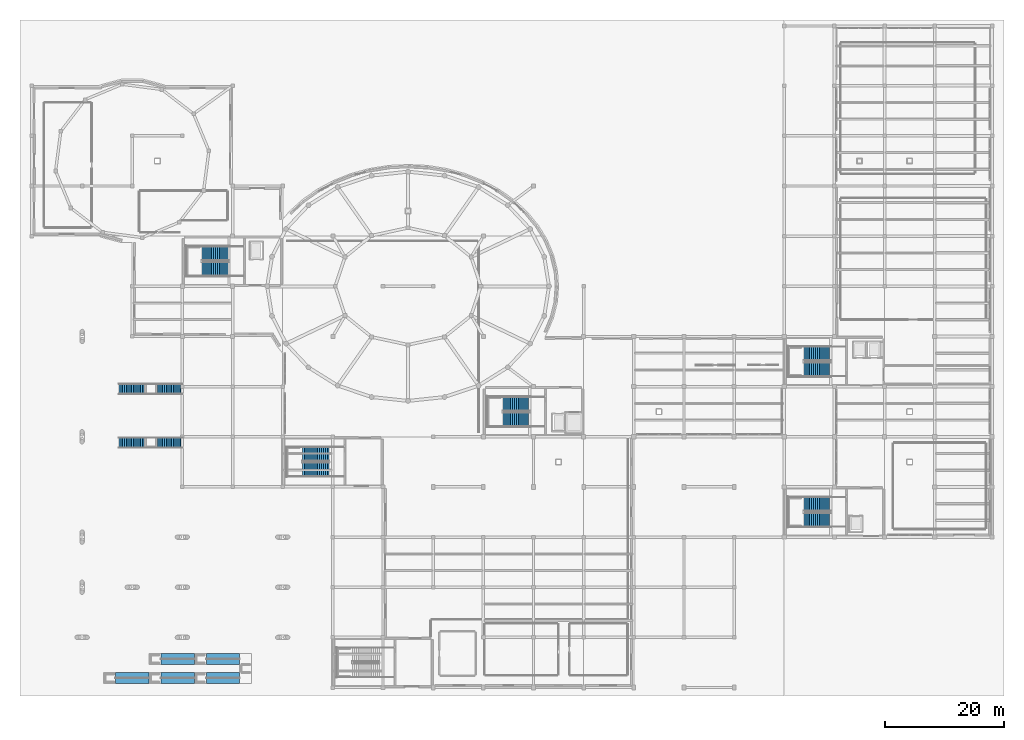
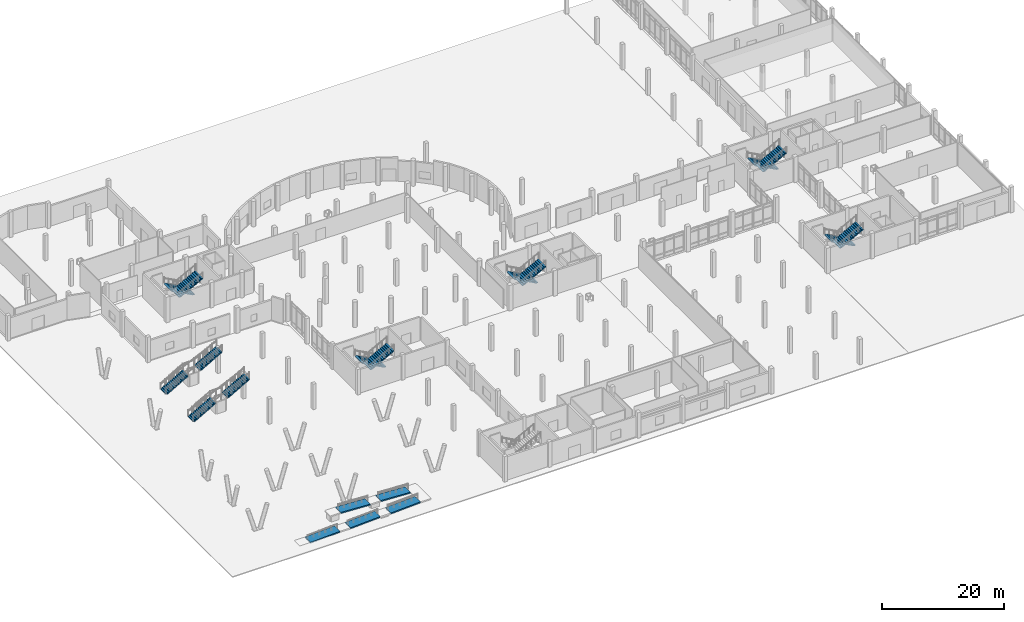
# One storey, part 52 of 64: 14 stair flights, 5 ramp flights, 12 elements without a shape of their own.
"""IFC4 building model written with IfcOpenShell, lengths in metres."""

from ifc_helpers import new_model, si_unit, derived_unit, direction, frame, origin, place, context, subcontext, project, spatial, polyline, outline, extrude, material, layer, layer_set, type_object, element, aggregate, save


model = new_model("IFC4")

# Units and contexts
model_context = context("Model", 3, precision=1e-05, world=origin(), true_north=direction((0.0, 1.0)))
body_context = subcontext(model_context, "Body", "Model", "MODEL_VIEW")
ifc_project = project(units=[si_unit("LENGTHUNIT", "METRE"), si_unit("AREAUNIT", "SQUARE_METRE"), si_unit("VOLUMEUNIT", "CUBIC_METRE"), si_unit("PLANEANGLEUNIT", "RADIAN"), si_unit("MASSUNIT", "GRAM", prefix="KILO"), derived_unit("THERMALTRANSMITTANCEUNIT", [(si_unit("POWERUNIT", "WATT"), 1), (si_unit("LENGTHUNIT", "METRE"), -2), (si_unit("THERMODYNAMICTEMPERATUREUNIT", "KELVIN"), -1)])], contexts=[model_context])

# Site, building, storey
site_placement = place(None, origin())
site = spatial("IfcSite", under=ifc_project, at=site_placement, CompositionType="ELEMENT")
building_placement = place(site_placement, origin())
building = spatial("IfcBuilding", under=site, at=building_placement, Name="Elbkamm Science Centre", CompositionType="ELEMENT")
storey_placement = place(building_placement, origin())
storey = spatial("IfcBuildingStorey", under=building, at=storey_placement, Name="L00", CompositionType="ELEMENT", Elevation=0.0)

# Stair, stair flights
ifc_material = material(Name="Reinforced concrete C40/50", Category="concrete")
stair_type_1 = type_object("IfcStairType", Name="ST-STR-30R-180", PredefinedType="STRAIGHT_RUN_STAIR", material=ifc_material)
stair_1_placement = place(storey_placement, origin())
stair_1 = element("IfcStair", 1, at=stair_1_placement, inside=storey, type_object=stair_type_1, Name="Warft Forecourt Ceremonial Stair 1", PredefinedType="STRAIGHT_RUN_STAIR")
stair_flight_type_1 = type_object("IfcStairFlightType", Name="FLT-15R-170MM-180", PredefinedType="STRAIGHT", material=ifc_material)
stair_flight_1_placement = place(storey_placement, frame((14.60009765625, 41.0, 0.0), z_axis=(0.0, 0.0, 1.0), x_axis=(1.0, 0.0, 0.0)))
stair_flight_1 = element("IfcStairFlight", 2, at=stair_flight_1_placement, type_object=stair_flight_type_1, Name="ST-W1 flight 1", NumberOfRisers=15, NumberOfTreads=14, PredefinedType="STRAIGHT", RiserHeight=0.17, TreadLength=0.3, context=body_context, shape_type="SweptSolid", body=[
    extrude(outline(polyline([(0.0, 0.0), (0.0, 0.169921875), (0.300048828125, 0.169921875), (0.300048828125, 0.340087890625), (0.60009765625, 0.340087890625), (0.60009765625, 0.510009765625), (0.89990234375, 0.510009765625), (0.89990234375, 0.679931640625), (1.199951171875, 0.679931640625), (1.199951171875, 0.85009765625), (1.5, 0.85009765625), (1.5, 1.02001953125), (1.800048828125, 1.02001953125), (1.800048828125, 1.18994140625), (2.10009765625, 1.18994140625), (2.10009765625, 1.360107421875), (2.39990234375, 1.360107421875), (2.39990234375, 1.530029296875), (2.699951171875, 1.530029296875), (2.699951171875, 1.699951171875), (3.0, 1.699951171875), (3.0, 1.8701171875), (3.300048828125, 1.8701171875), (3.300048828125, 2.0400390625), (3.60009765625, 2.0400390625), (3.60009765625, 2.2099609375), (3.89990234375, 2.2099609375), (3.89990234375, 2.3798828125), (4.199951171875, 2.3798828125), (4.199951171875, 2.550048828125), (4.199951171875, 2.173095703125), (0.364990234375, 0.0), (0.0, 0.0)])), frame((0.0, 0.89990234375, 0.0), z_axis=(0.0, -1.0, 0.0), x_axis=(1.0, 0.0, 0.0)), (0.0, 0.0, 1.0), 1.800048828125),
])
stair_flight_2_placement = place(storey_placement, frame((21.0, 41.0, 2.550048828125), z_axis=(0.0, 0.0, 1.0), x_axis=(1.0, 0.0, 0.0)))
stair_flight_2 = element("IfcStairFlight", 3, at=stair_flight_2_placement, type_object=stair_flight_type_1, Name="ST-W1 flight 2", NumberOfRisers=15, NumberOfTreads=14, PredefinedType="STRAIGHT", RiserHeight=0.17, TreadLength=0.3, context=body_context, shape_type="SweptSolid", body=[
    extrude(outline(polyline([(0.0, 0.0), (0.0, 0.169921875), (0.300048828125, 0.169921875), (0.300048828125, 0.340087890625), (0.60009765625, 0.340087890625), (0.60009765625, 0.510009765625), (0.89990234375, 0.510009765625), (0.89990234375, 0.679931640625), (1.199951171875, 0.679931640625), (1.199951171875, 0.85009765625), (1.5, 0.85009765625), (1.5, 1.02001953125), (1.800048828125, 1.02001953125), (1.800048828125, 1.18994140625), (2.10009765625, 1.18994140625), (2.10009765625, 1.360107421875), (2.39990234375, 1.360107421875), (2.39990234375, 1.530029296875), (2.699951171875, 1.530029296875), (2.699951171875, 1.699951171875), (3.0, 1.699951171875), (3.0, 1.8701171875), (3.300048828125, 1.8701171875), (3.300048828125, 2.0400390625), (3.60009765625, 2.0400390625), (3.60009765625, 2.2099609375), (3.89990234375, 2.2099609375), (3.89990234375, 2.3798828125), (4.199951171875, 2.3798828125), (4.199951171875, 2.550048828125), (4.199951171875, 2.173095703125), (0.364990234375, 0.0), (0.0, 0.0)])), frame((0.0, 0.89990234375, 0.0), z_axis=(0.0, -1.0, 0.0), x_axis=(1.0, 0.0, 0.0)), (0.0, 0.0, 1.0), 1.800048828125),
])
aggregate(stair_1, [stair_flight_1, stair_flight_2])

stair_2_placement = place(storey_placement, origin())
stair_2 = element("IfcStair", 4, at=stair_2_placement, inside=storey, type_object=stair_type_1, Name="Warft Forecourt Ceremonial Stair 2", PredefinedType="STRAIGHT_RUN_STAIR")
stair_flight_3_placement = place(storey_placement, frame((14.60009765625, 50.0, 0.0), z_axis=(0.0, 0.0, 1.0), x_axis=(1.0, 0.0, 0.0)))
stair_flight_3 = element("IfcStairFlight", 5, at=stair_flight_3_placement, type_object=stair_flight_type_1, Name="ST-W2 flight 1", NumberOfRisers=15, NumberOfTreads=14, PredefinedType="STRAIGHT", RiserHeight=0.17, TreadLength=0.3, context=body_context, shape_type="SweptSolid", body=[
    extrude(outline(polyline([(0.0, 0.0), (0.0, 0.169921875), (0.300048828125, 0.169921875), (0.300048828125, 0.340087890625), (0.60009765625, 0.340087890625), (0.60009765625, 0.510009765625), (0.89990234375, 0.510009765625), (0.89990234375, 0.679931640625), (1.199951171875, 0.679931640625), (1.199951171875, 0.85009765625), (1.5, 0.85009765625), (1.5, 1.02001953125), (1.800048828125, 1.02001953125), (1.800048828125, 1.18994140625), (2.10009765625, 1.18994140625), (2.10009765625, 1.360107421875), (2.39990234375, 1.360107421875), (2.39990234375, 1.530029296875), (2.699951171875, 1.530029296875), (2.699951171875, 1.699951171875), (3.0, 1.699951171875), (3.0, 1.8701171875), (3.300048828125, 1.8701171875), (3.300048828125, 2.0400390625), (3.60009765625, 2.0400390625), (3.60009765625, 2.2099609375), (3.89990234375, 2.2099609375), (3.89990234375, 2.3798828125), (4.199951171875, 2.3798828125), (4.199951171875, 2.550048828125), (4.199951171875, 2.173095703125), (0.364990234375, 0.0), (0.0, 0.0)])), frame((0.0, 0.89990234375, 0.0), z_axis=(0.0, -1.0, 0.0), x_axis=(1.0, 0.0, 0.0)), (0.0, 0.0, 1.0), 1.800048828125),
])
stair_flight_4_placement = place(storey_placement, frame((21.0, 50.0, 2.550048828125), z_axis=(0.0, 0.0, 1.0), x_axis=(1.0, 0.0, 0.0)))
stair_flight_4 = element("IfcStairFlight", 6, at=stair_flight_4_placement, type_object=stair_flight_type_1, Name="ST-W2 flight 2", NumberOfRisers=15, NumberOfTreads=14, PredefinedType="STRAIGHT", RiserHeight=0.17, TreadLength=0.3, context=body_context, shape_type="SweptSolid", body=[
    extrude(outline(polyline([(0.0, 0.0), (0.0, 0.169921875), (0.300048828125, 0.169921875), (0.300048828125, 0.340087890625), (0.60009765625, 0.340087890625), (0.60009765625, 0.510009765625), (0.89990234375, 0.510009765625), (0.89990234375, 0.679931640625), (1.199951171875, 0.679931640625), (1.199951171875, 0.85009765625), (1.5, 0.85009765625), (1.5, 1.02001953125), (1.800048828125, 1.02001953125), (1.800048828125, 1.18994140625), (2.10009765625, 1.18994140625), (2.10009765625, 1.360107421875), (2.39990234375, 1.360107421875), (2.39990234375, 1.530029296875), (2.699951171875, 1.530029296875), (2.699951171875, 1.699951171875), (3.0, 1.699951171875), (3.0, 1.8701171875), (3.300048828125, 1.8701171875), (3.300048828125, 2.0400390625), (3.60009765625, 2.0400390625), (3.60009765625, 2.2099609375), (3.89990234375, 2.2099609375), (3.89990234375, 2.3798828125), (4.199951171875, 2.3798828125), (4.199951171875, 2.550048828125), (4.199951171875, 2.173095703125), (0.364990234375, 0.0), (0.0, 0.0)])), frame((0.0, 0.89990234375, 0.0), z_axis=(0.0, -1.0, 0.0), x_axis=(1.0, 0.0, 0.0)), (0.0, 0.0, 1.0), 1.800048828125),
])
aggregate(stair_2, [stair_flight_3, stair_flight_4])

stair_type_2 = type_object("IfcStairType", Name="ST-TWO-30R-242", PredefinedType="USERDEFINED", material=ifc_material)
stair_3_placement = place(storey_placement, origin())
stair_3 = element("IfcStair", 7, at=stair_3_placement, inside=storey, type_object=stair_type_2, Name="L00 Core C1 Northwest Planetarium and Exhibition Core Escape Stair", ObjectType="TWO_RETURN_STAIR", PredefinedType="USERDEFINED")
stair_flight_type_2 = type_object("IfcStairFlightType", Name="FLT-15R-170MM-242", PredefinedType="STRAIGHT", material=ifc_material)
stair_flight_5_placement = place(storey_placement, frame((32.97998046875, 72.7099609375, 0.0), z_axis=(0.0, 0.0, 1.0), x_axis=(-1.0, 0.0, 0.0)))
stair_flight_5 = element("IfcStairFlight", 8, at=stair_flight_5_placement, type_object=stair_flight_type_2, Name="ST-C1 flight 1", NumberOfRisers=15, NumberOfTreads=14, PredefinedType="STRAIGHT", RiserHeight=0.17, TreadLength=0.32, context=body_context, shape_type="SweptSolid", body=[
    extrude(outline(polyline([(0.0, 0.0), (0.0, 0.169921875), (0.320068359375, 0.169921875), (0.320068359375, 0.340087890625), (0.639892578125, 0.340087890625), (0.639892578125, 0.510009765625), (0.9599609375, 0.510009765625), (0.9599609375, 0.679931640625), (1.280029296875, 0.679931640625), (1.280029296875, 0.85009765625), (1.60009765625, 0.85009765625), (1.60009765625, 1.02001953125), (1.919921875, 1.02001953125), (1.919921875, 1.18994140625), (2.239990234375, 1.18994140625), (2.239990234375, 1.360107421875), (2.56005859375, 1.360107421875), (2.56005859375, 1.530029296875), (2.8798828125, 1.530029296875), (2.8798828125, 1.699951171875), (3.199951171875, 1.699951171875), (3.199951171875, 1.8701171875), (3.52001953125, 1.8701171875), (3.52001953125, 2.0400390625), (3.840087890625, 2.0400390625), (3.840087890625, 2.2099609375), (4.159912109375, 2.2099609375), (4.159912109375, 2.3798828125), (4.47998046875, 2.3798828125), (4.47998046875, 2.550048828125), (4.47998046875, 2.198974609375), (0.3408203125, 0.0), (0.0, 0.0)])), frame((0.0, 1.2099609375, 0.0), z_axis=(0.0, -1.0, 0.0), x_axis=(1.0, 0.0, 0.0)), (0.0, 0.0, 1.0), 2.419921875),
])
stair_flight_6_placement = place(storey_placement, frame((28.5, 70.090087890625, 2.550048828125), z_axis=(0.0, 0.0, 1.0), x_axis=(1.0, 0.0, 0.0)))
stair_flight_6 = element("IfcStairFlight", 9, at=stair_flight_6_placement, type_object=stair_flight_type_2, Name="ST-C1 flight 2", NumberOfRisers=15, NumberOfTreads=14, PredefinedType="STRAIGHT", RiserHeight=0.17, TreadLength=0.32, context=body_context, shape_type="SweptSolid", body=[
    extrude(outline(polyline([(0.0, 0.0), (0.0, 0.169921875), (0.320068359375, 0.169921875), (0.320068359375, 0.340087890625), (0.639892578125, 0.340087890625), (0.639892578125, 0.510009765625), (0.9599609375, 0.510009765625), (0.9599609375, 0.679931640625), (1.280029296875, 0.679931640625), (1.280029296875, 0.85009765625), (1.60009765625, 0.85009765625), (1.60009765625, 1.02001953125), (1.919921875, 1.02001953125), (1.919921875, 1.18994140625), (2.239990234375, 1.18994140625), (2.239990234375, 1.360107421875), (2.56005859375, 1.360107421875), (2.56005859375, 1.530029296875), (2.8798828125, 1.530029296875), (2.8798828125, 1.699951171875), (3.199951171875, 1.699951171875), (3.199951171875, 1.8701171875), (3.52001953125, 1.8701171875), (3.52001953125, 2.0400390625), (3.840087890625, 2.0400390625), (3.840087890625, 2.2099609375), (4.159912109375, 2.2099609375), (4.159912109375, 2.3798828125), (4.47998046875, 2.3798828125), (4.47998046875, 2.550048828125), (4.47998046875, 2.198974609375), (0.3408203125, 0.0), (0.0, 0.0)])), frame((0.0, 1.2099609375, 0.0), z_axis=(0.0, -1.0, 0.0), x_axis=(1.0, 0.0, 0.0)), (0.0, 0.0, 1.0), 2.419921875),
])
aggregate(stair_3, [stair_flight_5, stair_flight_6])

stair_4_placement = place(storey_placement, origin())
stair_4 = element("IfcStair", 10, at=stair_4_placement, inside=storey, type_object=stair_type_2, Name="L00 Core C2 Central Exhibition and Skybridge Core Escape Stair", ObjectType="TWO_RETURN_STAIR", PredefinedType="USERDEFINED")
stair_flight_7_placement = place(storey_placement, frame((83.3798828125, 47.510009765625, 0.0), z_axis=(0.0, 0.0, 1.0), x_axis=(-1.0, 0.0, 0.0)))
stair_flight_7 = element("IfcStairFlight", 11, at=stair_flight_7_placement, type_object=stair_flight_type_2, Name="ST-C2 flight 1", NumberOfRisers=15, NumberOfTreads=14, PredefinedType="STRAIGHT", RiserHeight=0.17, TreadLength=0.32, context=body_context, shape_type="SweptSolid", body=[
    extrude(outline(polyline([(0.0, 0.0), (0.0, 0.169921875), (0.320068359375, 0.169921875), (0.320068359375, 0.340087890625), (0.639892578125, 0.340087890625), (0.639892578125, 0.510009765625), (0.9599609375, 0.510009765625), (0.9599609375, 0.679931640625), (1.280029296875, 0.679931640625), (1.280029296875, 0.85009765625), (1.60009765625, 0.85009765625), (1.60009765625, 1.02001953125), (1.919921875, 1.02001953125), (1.919921875, 1.18994140625), (2.239990234375, 1.18994140625), (2.239990234375, 1.360107421875), (2.56005859375, 1.360107421875), (2.56005859375, 1.530029296875), (2.8798828125, 1.530029296875), (2.8798828125, 1.699951171875), (3.199951171875, 1.699951171875), (3.199951171875, 1.8701171875), (3.52001953125, 1.8701171875), (3.52001953125, 2.0400390625), (3.840087890625, 2.0400390625), (3.840087890625, 2.2099609375), (4.159912109375, 2.2099609375), (4.159912109375, 2.3798828125), (4.47998046875, 2.3798828125), (4.47998046875, 2.550048828125), (4.47998046875, 2.198974609375), (0.3408203125, 0.0), (0.0, 0.0)])), frame((0.0, 1.2099609375, 0.0), z_axis=(0.0, -1.0, 0.0), x_axis=(1.0, 0.0, 0.0)), (0.0, 0.0, 1.0), 2.419921875),
])
stair_flight_8_placement = place(storey_placement, frame((78.89990234375, 44.889892578125, 2.550048828125), z_axis=(0.0, 0.0, 1.0), x_axis=(1.0, 0.0, 0.0)))
stair_flight_8 = element("IfcStairFlight", 12, at=stair_flight_8_placement, type_object=stair_flight_type_2, Name="ST-C2 flight 2", NumberOfRisers=15, NumberOfTreads=14, PredefinedType="STRAIGHT", RiserHeight=0.17, TreadLength=0.32, context=body_context, shape_type="SweptSolid", body=[
    extrude(outline(polyline([(0.0, 0.0), (0.0, 0.169921875), (0.320068359375, 0.169921875), (0.320068359375, 0.340087890625), (0.639892578125, 0.340087890625), (0.639892578125, 0.510009765625), (0.9599609375, 0.510009765625), (0.9599609375, 0.679931640625), (1.280029296875, 0.679931640625), (1.280029296875, 0.85009765625), (1.60009765625, 0.85009765625), (1.60009765625, 1.02001953125), (1.919921875, 1.02001953125), (1.919921875, 1.18994140625), (2.239990234375, 1.18994140625), (2.239990234375, 1.360107421875), (2.56005859375, 1.360107421875), (2.56005859375, 1.530029296875), (2.8798828125, 1.530029296875), (2.8798828125, 1.699951171875), (3.199951171875, 1.699951171875), (3.199951171875, 1.8701171875), (3.52001953125, 1.8701171875), (3.52001953125, 2.0400390625), (3.840087890625, 2.0400390625), (3.840087890625, 2.2099609375), (4.159912109375, 2.2099609375), (4.159912109375, 2.3798828125), (4.47998046875, 2.3798828125), (4.47998046875, 2.550048828125), (4.47998046875, 2.198974609375), (0.3408203125, 0.0), (0.0, 0.0)])), frame((0.0, 1.2099609375, 0.0), z_axis=(0.0, -1.0, 0.0), x_axis=(1.0, 0.0, 0.0)), (0.0, 0.0, 1.0), 2.419921875),
])
aggregate(stair_4, [stair_flight_7, stair_flight_8])

stair_5_placement = place(storey_placement, origin())
stair_5 = element("IfcStair", 13, at=stair_5_placement, inside=storey, type_object=stair_type_2, Name="L00 Core C3 Northeast Laboratories and Observatory Core Escape Stair", ObjectType="TWO_RETURN_STAIR", PredefinedType="USERDEFINED")
stair_flight_9_placement = place(storey_placement, frame((133.780029296875, 55.909912109375, 0.0), z_axis=(0.0, 0.0, 1.0), x_axis=(-1.0, 0.0, 0.0)))
stair_flight_9 = element("IfcStairFlight", 14, at=stair_flight_9_placement, type_object=stair_flight_type_2, Name="ST-C3 flight 1", NumberOfRisers=15, NumberOfTreads=14, PredefinedType="STRAIGHT", RiserHeight=0.17, TreadLength=0.32, context=body_context, shape_type="SweptSolid", body=[
    extrude(outline(polyline([(0.0, 0.0), (0.0, 0.169921875), (0.320068359375, 0.169921875), (0.320068359375, 0.340087890625), (0.639892578125, 0.340087890625), (0.639892578125, 0.510009765625), (0.9599609375, 0.510009765625), (0.9599609375, 0.679931640625), (1.280029296875, 0.679931640625), (1.280029296875, 0.85009765625), (1.60009765625, 0.85009765625), (1.60009765625, 1.02001953125), (1.919921875, 1.02001953125), (1.919921875, 1.18994140625), (2.239990234375, 1.18994140625), (2.239990234375, 1.360107421875), (2.56005859375, 1.360107421875), (2.56005859375, 1.530029296875), (2.8798828125, 1.530029296875), (2.8798828125, 1.699951171875), (3.199951171875, 1.699951171875), (3.199951171875, 1.8701171875), (3.52001953125, 1.8701171875), (3.52001953125, 2.0400390625), (3.840087890625, 2.0400390625), (3.840087890625, 2.2099609375), (4.159912109375, 2.2099609375), (4.159912109375, 2.3798828125), (4.47998046875, 2.3798828125), (4.47998046875, 2.550048828125), (4.47998046875, 2.198974609375), (0.3408203125, 0.0), (0.0, 0.0)])), frame((0.0, 1.2099609375, 0.0), z_axis=(0.0, -1.0, 0.0), x_axis=(1.0, 0.0, 0.0)), (0.0, 0.0, 1.0), 2.419921875),
])
stair_flight_10_placement = place(storey_placement, frame((129.300048828125, 53.2900390625, 2.550048828125), z_axis=(0.0, 0.0, 1.0), x_axis=(1.0, 0.0, 0.0)))
stair_flight_10 = element("IfcStairFlight", 15, at=stair_flight_10_placement, type_object=stair_flight_type_2, Name="ST-C3 flight 2", NumberOfRisers=15, NumberOfTreads=14, PredefinedType="STRAIGHT", RiserHeight=0.17, TreadLength=0.32, context=body_context, shape_type="SweptSolid", body=[
    extrude(outline(polyline([(0.0, 0.0), (0.0, 0.169921875), (0.320068359375, 0.169921875), (0.320068359375, 0.340087890625), (0.639892578125, 0.340087890625), (0.639892578125, 0.510009765625), (0.9599609375, 0.510009765625), (0.9599609375, 0.679931640625), (1.280029296875, 0.679931640625), (1.280029296875, 0.85009765625), (1.60009765625, 0.85009765625), (1.60009765625, 1.02001953125), (1.919921875, 1.02001953125), (1.919921875, 1.18994140625), (2.239990234375, 1.18994140625), (2.239990234375, 1.360107421875), (2.56005859375, 1.360107421875), (2.56005859375, 1.530029296875), (2.8798828125, 1.530029296875), (2.8798828125, 1.699951171875), (3.199951171875, 1.699951171875), (3.199951171875, 1.8701171875), (3.52001953125, 1.8701171875), (3.52001953125, 2.0400390625), (3.840087890625, 2.0400390625), (3.840087890625, 2.2099609375), (4.159912109375, 2.2099609375), (4.159912109375, 2.3798828125), (4.47998046875, 2.3798828125), (4.47998046875, 2.550048828125), (4.47998046875, 2.198974609375), (0.3408203125, 0.0), (0.0, 0.0)])), frame((0.0, 1.2099609375, 0.0), z_axis=(0.0, -1.0, 0.0), x_axis=(1.0, 0.0, 0.0)), (0.0, 0.0, 1.0), 2.419921875),
])
aggregate(stair_5, [stair_flight_9, stair_flight_10])

stair_6_placement = place(storey_placement, origin())
stair_6 = element("IfcStair", 16, at=stair_6_placement, inside=storey, type_object=stair_type_2, Name="L00 Core C4 Southeast Workshops and Library Core Escape Stair", ObjectType="TWO_RETURN_STAIR", PredefinedType="USERDEFINED")
stair_flight_11_placement = place(storey_placement, frame((133.780029296875, 30.7099609375, 0.0), z_axis=(0.0, 0.0, 1.0), x_axis=(-1.0, 0.0, 0.0)))
stair_flight_11 = element("IfcStairFlight", 17, at=stair_flight_11_placement, type_object=stair_flight_type_2, Name="ST-C4 flight 1", NumberOfRisers=15, NumberOfTreads=14, PredefinedType="STRAIGHT", RiserHeight=0.17, TreadLength=0.32, context=body_context, shape_type="SweptSolid", body=[
    extrude(outline(polyline([(0.0, 0.0), (0.0, 0.169921875), (0.320068359375, 0.169921875), (0.320068359375, 0.340087890625), (0.639892578125, 0.340087890625), (0.639892578125, 0.510009765625), (0.9599609375, 0.510009765625), (0.9599609375, 0.679931640625), (1.280029296875, 0.679931640625), (1.280029296875, 0.85009765625), (1.60009765625, 0.85009765625), (1.60009765625, 1.02001953125), (1.919921875, 1.02001953125), (1.919921875, 1.18994140625), (2.239990234375, 1.18994140625), (2.239990234375, 1.360107421875), (2.56005859375, 1.360107421875), (2.56005859375, 1.530029296875), (2.8798828125, 1.530029296875), (2.8798828125, 1.699951171875), (3.199951171875, 1.699951171875), (3.199951171875, 1.8701171875), (3.52001953125, 1.8701171875), (3.52001953125, 2.0400390625), (3.840087890625, 2.0400390625), (3.840087890625, 2.2099609375), (4.159912109375, 2.2099609375), (4.159912109375, 2.3798828125), (4.47998046875, 2.3798828125), (4.47998046875, 2.550048828125), (4.47998046875, 2.198974609375), (0.3408203125, 0.0), (0.0, 0.0)])), frame((0.0, 1.2099609375, 0.0), z_axis=(0.0, -1.0, 0.0), x_axis=(1.0, 0.0, 0.0)), (0.0, 0.0, 1.0), 2.419921875),
])
stair_flight_12_placement = place(storey_placement, frame((129.300048828125, 28.090087890625, 2.550048828125), z_axis=(0.0, 0.0, 1.0), x_axis=(1.0, 0.0, 0.0)))
stair_flight_12 = element("IfcStairFlight", 18, at=stair_flight_12_placement, type_object=stair_flight_type_2, Name="ST-C4 flight 2", NumberOfRisers=15, NumberOfTreads=14, PredefinedType="STRAIGHT", RiserHeight=0.17, TreadLength=0.32, context=body_context, shape_type="SweptSolid", body=[
    extrude(outline(polyline([(0.0, 0.0), (0.0, 0.169921875), (0.320068359375, 0.169921875), (0.320068359375, 0.340087890625), (0.639892578125, 0.340087890625), (0.639892578125, 0.510009765625), (0.9599609375, 0.510009765625), (0.9599609375, 0.679931640625), (1.280029296875, 0.679931640625), (1.280029296875, 0.85009765625), (1.60009765625, 0.85009765625), (1.60009765625, 1.02001953125), (1.919921875, 1.02001953125), (1.919921875, 1.18994140625), (2.239990234375, 1.18994140625), (2.239990234375, 1.360107421875), (2.56005859375, 1.360107421875), (2.56005859375, 1.530029296875), (2.8798828125, 1.530029296875), (2.8798828125, 1.699951171875), (3.199951171875, 1.699951171875), (3.199951171875, 1.8701171875), (3.52001953125, 1.8701171875), (3.52001953125, 2.0400390625), (3.840087890625, 2.0400390625), (3.840087890625, 2.2099609375), (4.159912109375, 2.2099609375), (4.159912109375, 2.3798828125), (4.47998046875, 2.3798828125), (4.47998046875, 2.550048828125), (4.47998046875, 2.198974609375), (0.3408203125, 0.0), (0.0, 0.0)])), frame((0.0, 1.2099609375, 0.0), z_axis=(0.0, -1.0, 0.0), x_axis=(1.0, 0.0, 0.0)), (0.0, 0.0, 1.0), 2.419921875),
])
aggregate(stair_6, [stair_flight_11, stair_flight_12])

stair_7_placement = place(storey_placement, origin())
stair_7 = element("IfcStair", 19, at=stair_7_placement, inside=storey, type_object=stair_type_2, Name="L00 Core C5 Southwest Plinth Assembly Egress Core Escape Stair", ObjectType="TWO_RETURN_STAIR", PredefinedType="USERDEFINED")
stair_flight_13_placement = place(storey_placement, frame((49.780029296875, 39.110107421875, 0.0), z_axis=(0.0, 0.0, 1.0), x_axis=(-1.0, 0.0, 0.0)))
stair_flight_13 = element("IfcStairFlight", 20, at=stair_flight_13_placement, type_object=stair_flight_type_2, Name="ST-C5 flight 1", NumberOfRisers=15, NumberOfTreads=14, PredefinedType="STRAIGHT", RiserHeight=0.17, TreadLength=0.32, context=body_context, shape_type="SweptSolid", body=[
    extrude(outline(polyline([(0.0, 0.0), (0.0, 0.169921875), (0.320068359375, 0.169921875), (0.320068359375, 0.340087890625), (0.639892578125, 0.340087890625), (0.639892578125, 0.510009765625), (0.9599609375, 0.510009765625), (0.9599609375, 0.679931640625), (1.280029296875, 0.679931640625), (1.280029296875, 0.85009765625), (1.60009765625, 0.85009765625), (1.60009765625, 1.02001953125), (1.919921875, 1.02001953125), (1.919921875, 1.18994140625), (2.239990234375, 1.18994140625), (2.239990234375, 1.360107421875), (2.56005859375, 1.360107421875), (2.56005859375, 1.530029296875), (2.8798828125, 1.530029296875), (2.8798828125, 1.699951171875), (3.199951171875, 1.699951171875), (3.199951171875, 1.8701171875), (3.52001953125, 1.8701171875), (3.52001953125, 2.0400390625), (3.840087890625, 2.0400390625), (3.840087890625, 2.2099609375), (4.159912109375, 2.2099609375), (4.159912109375, 2.3798828125), (4.47998046875, 2.3798828125), (4.47998046875, 2.550048828125), (4.47998046875, 2.198974609375), (0.3408203125, 0.0), (0.0, 0.0)])), frame((0.0, 1.2099609375, 0.0), z_axis=(0.0, -1.0, 0.0), x_axis=(1.0, 0.0, 0.0)), (0.0, 0.0, 1.0), 2.419921875),
])
stair_flight_14_placement = place(storey_placement, frame((45.300048828125, 36.489990234375, 2.550048828125), z_axis=(0.0, 0.0, 1.0), x_axis=(1.0, 0.0, 0.0)))
stair_flight_14 = element("IfcStairFlight", 21, at=stair_flight_14_placement, type_object=stair_flight_type_2, Name="ST-C5 flight 2", NumberOfRisers=15, NumberOfTreads=14, PredefinedType="STRAIGHT", RiserHeight=0.17, TreadLength=0.32, context=body_context, shape_type="SweptSolid", body=[
    extrude(outline(polyline([(0.0, 0.0), (0.0, 0.169921875), (0.320068359375, 0.169921875), (0.320068359375, 0.340087890625), (0.639892578125, 0.340087890625), (0.639892578125, 0.510009765625), (0.9599609375, 0.510009765625), (0.9599609375, 0.679931640625), (1.280029296875, 0.679931640625), (1.280029296875, 0.85009765625), (1.60009765625, 0.85009765625), (1.60009765625, 1.02001953125), (1.919921875, 1.02001953125), (1.919921875, 1.18994140625), (2.239990234375, 1.18994140625), (2.239990234375, 1.360107421875), (2.56005859375, 1.360107421875), (2.56005859375, 1.530029296875), (2.8798828125, 1.530029296875), (2.8798828125, 1.699951171875), (3.199951171875, 1.699951171875), (3.199951171875, 1.8701171875), (3.52001953125, 1.8701171875), (3.52001953125, 2.0400390625), (3.840087890625, 2.0400390625), (3.840087890625, 2.2099609375), (4.159912109375, 2.2099609375), (4.159912109375, 2.3798828125), (4.47998046875, 2.3798828125), (4.47998046875, 2.550048828125), (4.47998046875, 2.198974609375), (0.3408203125, 0.0), (0.0, 0.0)])), frame((0.0, 1.2099609375, 0.0), z_axis=(0.0, -1.0, 0.0), x_axis=(1.0, 0.0, 0.0)), (0.0, 0.0, 1.0), 2.419921875),
])
aggregate(stair_7, [stair_flight_13, stair_flight_14])

# Ramp, ramp flight
ramp_type = type_object("IfcRampType", Name="RAMP-ACC-1800", PredefinedType="STRAIGHT_RUN_RAMP", material=ifc_material)
ramp_1_placement = place(storey_placement, origin())
ramp_1 = element("IfcRamp", 22, at=ramp_1_placement, inside=storey, type_object=ramp_type, Name="Forecourt Barrier-Free Promenade Ramp RMP-01", PredefinedType="STRAIGHT_RUN_RAMP")
ifc_layer = layer(ifc_material, 0.239990234375)
ifc_layer_set = layer_set([ifc_layer], Name="Reinforced concrete C40/50")
ramp_flight_type = type_object("IfcRampFlightType", Name="RAMPFLT-ACC-1800", PredefinedType="STRAIGHT", material=ifc_layer_set)
ramp_flight_1_placement = place(storey_placement, frame((14.0, 1.60009765625, 0.0), z_axis=(0.0, 0.0, 1.0), x_axis=(1.0, 0.0, 0.0)))
ramp_flight_1 = element("IfcRampFlight", 23, at=ramp_flight_1_placement, type_object=ramp_flight_type, Name="RMP-01 Straight Flight", PredefinedType="STRAIGHT", context=body_context, shape_type="SweptSolid", body=[
    extrude(outline(polyline([(0.0, 0.0), (5.60009765625, 0.280029296875), (5.60009765625, 0.0400390625), (0.0, -0.239990234375), (0.0, 0.0)])), frame((0.0, 0.89990234375, 0.0), z_axis=(0.0, -1.0, 0.0), x_axis=(1.0, 0.0, 0.0)), (0.0, 0.0, 1.0), 1.800048828125),
])
aggregate(ramp_1, [ramp_flight_1])

ramp_2_placement = place(storey_placement, origin())
ramp_2 = element("IfcRamp", 24, at=ramp_2_placement, inside=storey, type_object=ramp_type, Name="Forecourt Barrier-Free Promenade Ramp RMP-02", PredefinedType="STRAIGHT_RUN_RAMP")
ramp_flight_2_placement = place(storey_placement, frame((21.60009765625, 1.60009765625, 0.280029296875), z_axis=(0.0, 0.0, 1.0), x_axis=(1.0, 0.0, 0.0)))
ramp_flight_2 = element("IfcRampFlight", 25, at=ramp_flight_2_placement, type_object=ramp_flight_type, Name="RMP-02 Straight Flight", PredefinedType="STRAIGHT", context=body_context, shape_type="SweptSolid", body=[
    extrude(outline(polyline([(0.0, 0.0), (5.60009765625, 0.280029296875), (5.60009765625, 0.0400390625), (0.0, -0.239990234375), (0.0, 0.0)])), frame((0.0, 0.89990234375, 0.0), z_axis=(0.0, -1.0, 0.0), x_axis=(1.0, 0.0, 0.0)), (0.0, 0.0, 1.0), 1.800048828125),
])
aggregate(ramp_2, [ramp_flight_2])

ramp_3_placement = place(storey_placement, origin())
ramp_3 = element("IfcRamp", 26, at=ramp_3_placement, inside=storey, type_object=ramp_type, Name="Forecourt Barrier-Free Promenade Ramp RMP-03", PredefinedType="STRAIGHT_RUN_RAMP")
ramp_flight_3_placement = place(storey_placement, frame((29.199951171875, 1.60009765625, 0.56005859375), z_axis=(0.0, 0.0, 1.0), x_axis=(1.0, 0.0, 0.0)))
ramp_flight_3 = element("IfcRampFlight", 27, at=ramp_flight_3_placement, type_object=ramp_flight_type, Name="RMP-03 Straight Flight", PredefinedType="STRAIGHT", context=body_context, shape_type="SweptSolid", body=[
    extrude(outline(polyline([(0.0, 0.0), (5.60009765625, 0.280029296875), (5.60009765625, 0.0400390625), (0.0, -0.239990234375), (0.0, 0.0)])), frame((0.0, 0.89990234375, 0.0), z_axis=(0.0, -1.0, 0.0), x_axis=(1.0, 0.0, 0.0)), (0.0, 0.0, 1.0), 1.800048828125),
])
aggregate(ramp_3, [ramp_flight_3])

ramp_4_placement = place(storey_placement, origin())
ramp_4 = element("IfcRamp", 28, at=ramp_4_placement, inside=storey, type_object=ramp_type, Name="Forecourt Barrier-Free Promenade Ramp RMP-04", PredefinedType="STRAIGHT_RUN_RAMP")
ramp_flight_4_placement = place(storey_placement, frame((34.800048828125, 4.800048828125, 0.840087890625), z_axis=(0.0, 0.0, 1.0), x_axis=(-1.0, 0.0, 0.0)))
ramp_flight_4 = element("IfcRampFlight", 29, at=ramp_flight_4_placement, type_object=ramp_flight_type, Name="RMP-04 Straight Flight", PredefinedType="STRAIGHT", context=body_context, shape_type="SweptSolid", body=[
    extrude(outline(polyline([(0.0, 0.0), (5.60009765625, 0.280029296875), (5.60009765625, 0.0400390625), (0.0, -0.239990234375), (0.0, 0.0)])), frame((0.0, 0.89990234375, 0.0), z_axis=(0.0, -1.0, 0.0), x_axis=(1.0, 0.0, 0.0)), (0.0, 0.0, 1.0), 1.800048828125),
])
aggregate(ramp_4, [ramp_flight_4])

ramp_5_placement = place(storey_placement, origin())
ramp_5 = element("IfcRamp", 30, at=ramp_5_placement, inside=storey, type_object=ramp_type, Name="Forecourt Barrier-Free Promenade Ramp RMP-05", PredefinedType="STRAIGHT_RUN_RAMP")
ramp_flight_5_placement = place(storey_placement, frame((27.199951171875, 4.800048828125, 1.1201171875), z_axis=(0.0, 0.0, 1.0), x_axis=(-1.0, 0.0, 0.0)))
ramp_flight_5 = element("IfcRampFlight", 31, at=ramp_flight_5_placement, type_object=ramp_flight_type, Name="RMP-05 Straight Flight", PredefinedType="STRAIGHT", context=body_context, shape_type="SweptSolid", body=[
    extrude(outline(polyline([(0.0, 0.0), (5.60009765625, 0.280029296875), (5.60009765625, 0.0400390625), (0.0, -0.239990234375), (0.0, 0.0)])), frame((0.0, 0.89990234375, 0.0), z_axis=(0.0, -1.0, 0.0), x_axis=(1.0, 0.0, 0.0)), (0.0, 0.0, 1.0), 1.800048828125),
])
aggregate(ramp_5, [ramp_flight_5])

save(model, "model.ifc")
